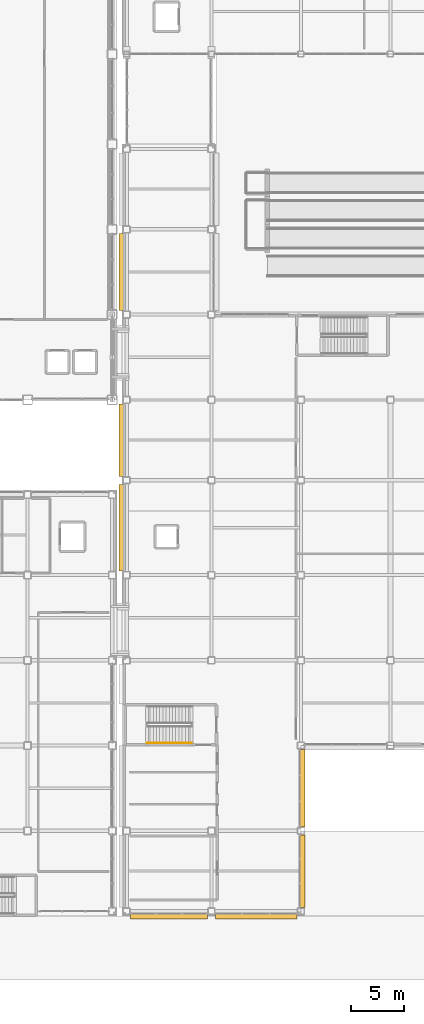
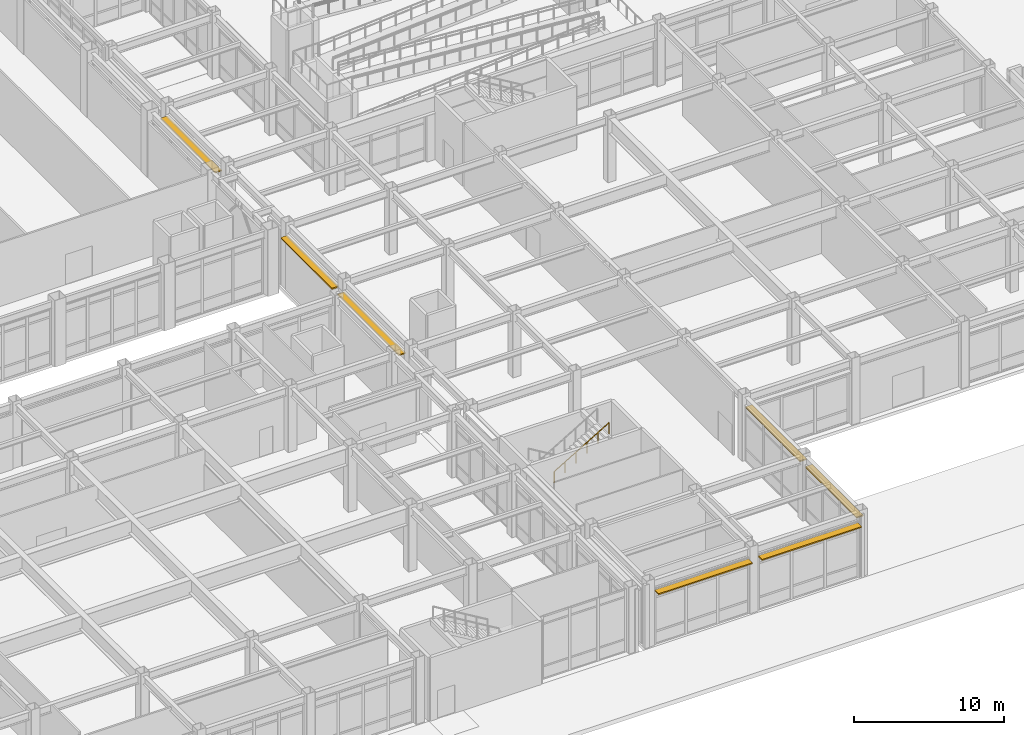
# One storey, part 147 of 165: 7 shading devices, 1 railing.
"""IFC4 building model written with IfcOpenShell, lengths in metres."""

from ifc_helpers import new_model, si_unit, direction, frame, origin, origin_2d, place, context, subcontext, project, spatial, rectangle, circle, extrude, material, layer, layer_set, type_object, element, save


model = new_model("IFC4")

# Units and contexts
model_context = context("Model", 3, precision=1e-05, world=origin(), true_north=direction((0.0, 1.0)))
body_context = subcontext(model_context, "Body", "Model", "MODEL_VIEW")
ifc_project = project(units=[si_unit("LENGTHUNIT", "METRE"), si_unit("AREAUNIT", "SQUARE_METRE"), si_unit("VOLUMEUNIT", "CUBIC_METRE"), si_unit("PLANEANGLEUNIT", "RADIAN"), si_unit("MASSUNIT", "GRAM", prefix="KILO")], contexts=[model_context])

# Site, building, storey
site_placement = place(None, origin())
site = spatial("IfcSite", under=ifc_project, at=site_placement, CompositionType="ELEMENT")
building_placement = place(site_placement, origin())
building = spatial("IfcBuilding", under=site, at=building_placement, Name="Kazehara Bluff Congress Hotel", CompositionType="ELEMENT")
storey_placement = place(building_placement, origin())
storey = spatial("IfcBuildingStorey", under=building, at=storey_placement, Name="L00", CompositionType="ELEMENT", Elevation=0.0)

# Railing
ifc_material_1 = material(Name="Brushed stainless steel", Category="steel")
railing_type = type_object("IfcRailingType", Name="TP-HR-INT", PredefinedType="HANDRAIL", material=ifc_material_1)
railing_placement = place(storey_placement, frame((61.60009765625, 16.25, 2.8798828125)))
element("IfcRailing", 1, at=railing_placement, inside=storey, type_object=railing_type, Name="L00 ST-08 stair handrail 2", PredefinedType="HANDRAIL", context=body_context, shape_type="SweptSolid", body=[
    extrude(circle(Radius=0.02392578125, at=origin_2d()), frame((0.0, 0.0, 0.8759765625), z_axis=(0.857488527567, 0.0, 0.514503085598), x_axis=(0.0, 1.0, 0.0)), (0.0, 0.0, 1.0), 4.89794921875),
    extrude(circle(Radius=0.02099609375, at=origin_2d()), origin(), (0.0, 0.0, 1.0), 0.851806640625),
    extrude(circle(Radius=0.02099609375, at=origin_2d()), frame((0.840087890625, 0.0, 0.50390625)), (0.0, 0.0, 1.0), 0.851806640625),
    extrude(circle(Radius=0.02099609375, at=origin_2d()), frame((1.679931640625, 0.0, 1.008056640625)), (0.0, 0.0, 1.0), 0.851806640625),
    extrude(circle(Radius=0.02099609375, at=origin_2d()), frame((2.52001953125, 0.0, 1.511962890625)), (0.0, 0.0, 1.0), 0.851806640625),
    extrude(circle(Radius=0.02099609375, at=origin_2d()), frame((3.35986328125, 0.0, 2.01611328125)), (0.0, 0.0, 1.0), 0.851806640625),
    extrude(circle(Radius=0.02099609375, at=origin_2d()), frame((4.199951171875, 0.0, 2.52001953125)), (0.0, 0.0, 1.0), 0.851806640625),
])

# Shading devices
ifc_material_2 = material(Name="Anodised aluminium", Category="aluminium")
ifc_layer = layer(ifc_material_2, 0.10009765625)
ifc_layer_set = layer_set([ifc_layer], Name="Anodised aluminium")
shading_device_type = type_object("IfcShadingDeviceType", Name="TP-SHD-SCR", PredefinedType="USERDEFINED", material=ifc_layer_set)
shading_device_1_placement = place(storey_placement, frame((63.675048828125, -0.02001953125, 4.304931640625), z_axis=(0.0, 0.0, 1.0), x_axis=(1.0, 0.0, 0.0)))
element("IfcShadingDevice", 2, at=shading_device_1_placement, inside=storey, type_object=shading_device_type, Name="L00 V4 horizontal brise-soleil hood 1", ObjectType="SCREEN", PredefinedType="USERDEFINED", context=body_context, shape_type="SweptSolid", body=[
    extrude(rectangle(XDim=7.199951171875, YDim=0.52001953125, at=origin_2d()), origin(), (0.0, 0.0, 1.0), 0.10009765625),
])
shading_device_2_placement = place(storey_placement, frame((71.85009765625, -0.02001953125, 4.304931640625), z_axis=(0.0, 0.0, 1.0), x_axis=(1.0, 0.0, 0.0)))
element("IfcShadingDevice", 3, at=shading_device_2_placement, inside=storey, type_object=shading_device_type, Name="L00 V4 horizontal brise-soleil hood 2", ObjectType="SCREEN", PredefinedType="USERDEFINED", context=body_context, shape_type="SweptSolid", body=[
    extrude(rectangle(XDim=7.64990234375, YDim=0.52001953125, at=origin_2d()), origin(), (0.0, 0.0, 1.0), 0.10009765625),
])
shading_device_3_placement = place(storey_placement, frame((76.18994140625, 4.22509765625, 4.304931640625), z_axis=(0.0, 0.0, 1.0), x_axis=(1.0, 0.0, 0.0)))
element("IfcShadingDevice", 4, at=shading_device_3_placement, inside=storey, type_object=shading_device_type, Name="L00 V4 horizontal brise-soleil hood 3", ObjectType="SCREEN", PredefinedType="USERDEFINED", context=body_context, shape_type="SweptSolid", body=[
    extrude(rectangle(XDim=0.52001953125, YDim=6.800048828125, at=origin_2d()), origin(), (0.0, 0.0, 1.0), 0.10009765625),
])
for number, where, z_axis, x_axis, name in (
    (5, (76.18994140625, 12.0, 4.304931640625), (0.0, 0.0, 1.0), (1.0, 0.0, 0.0), "L00 V4 horizontal brise-soleil hood 4"),
    (6, (59.22998046875, 60.449951171875, 4.304931640625), (0.0, 0.0, 1.0), (1.0, 0.0, 0.0), "L00 V4 horizontal brise-soleil hood 11"),
):
    element("IfcShadingDevice", number, at=place(storey_placement, frame(where, z_axis=z_axis, x_axis=x_axis)), inside=storey, type_object=shading_device_type, Name=name, ObjectType="SCREEN", PredefinedType="USERDEFINED", context=body_context, shape_type="SweptSolid", body=[
        extrude(rectangle(XDim=0.52001953125, YDim=7.25, at=origin_2d()), origin(), (0.0, 0.0, 1.0), 0.10009765625),
    ])
shading_device_4_placement = place(storey_placement, frame((59.22998046875, 36.449951171875, 4.304931640625), z_axis=(0.0, 0.0, 1.0), x_axis=(1.0, 0.0, 0.0)))
element("IfcShadingDevice", 7, at=shading_device_4_placement, inside=storey, type_object=shading_device_type, Name="L00 V4 horizontal brise-soleil hood 13", ObjectType="SCREEN", PredefinedType="USERDEFINED", context=body_context, shape_type="SweptSolid", body=[
    extrude(rectangle(XDim=0.52001953125, YDim=8.14990234375, at=origin_2d()), origin(), (0.0, 0.0, 1.0), 0.10009765625),
])
shading_device_5_placement = place(storey_placement, frame((59.22998046875, 44.675048828125, 4.304931640625), z_axis=(0.0, 0.0, 1.0), x_axis=(1.0, 0.0, 0.0)))
element("IfcShadingDevice", 8, at=shading_device_5_placement, inside=storey, type_object=shading_device_type, Name="L00 V4 horizontal brise-soleil hood 14", ObjectType="SCREEN", PredefinedType="USERDEFINED", context=body_context, shape_type="SweptSolid", body=[
    extrude(rectangle(XDim=0.52001953125, YDim=6.800048828125, at=origin_2d()), origin(), (0.0, 0.0, 1.0), 0.10009765625),
])

save(model, "model.ifc")
